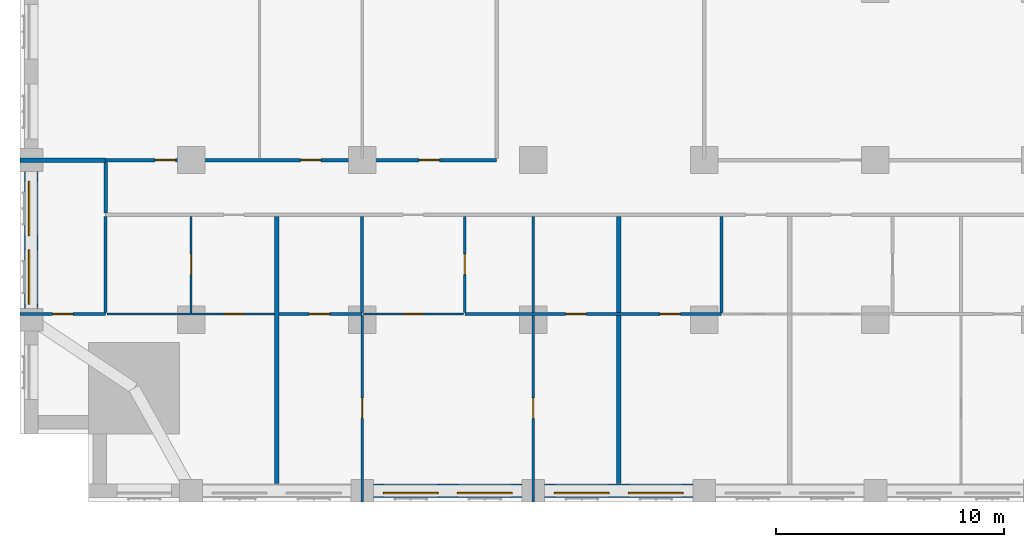
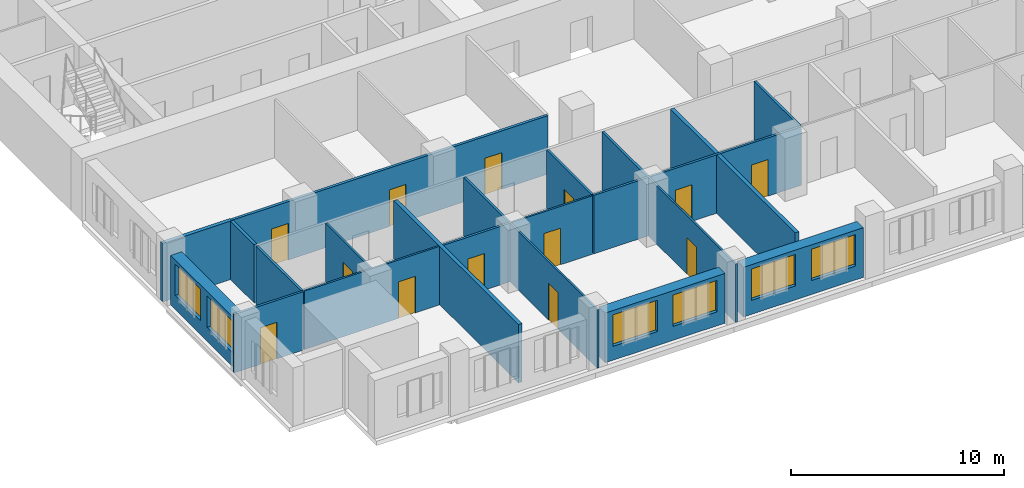
# One storey, part 4 of 14: 21 walls, 13 doors, 6 windows, 19 openings.
"""IFC4 building model written with IfcOpenShell, lengths in metres."""

from ifc_helpers import new_model, si_unit, direction, frame, frame_2d, origin, place, context, subcontext, project, spatial, rectangle, extrude, material, layer, layer_set, type_object, element, fill, save


model = new_model("IFC4")

# Units and contexts
model_context = context("Model", 3, precision=1e-05, world=origin(), true_north=direction((0.0, 1.0)))
body_context = subcontext(model_context, "Body", "Model", "MODEL_VIEW")
ifc_project = project(units=[si_unit("LENGTHUNIT", "METRE"), si_unit("AREAUNIT", "SQUARE_METRE"), si_unit("VOLUMEUNIT", "CUBIC_METRE"), si_unit("PLANEANGLEUNIT", "RADIAN"), si_unit("MASSUNIT", "GRAM", prefix="KILO")], contexts=[model_context])

# Site, building, storey
site_placement = place(None, origin())
site = spatial("IfcSite", under=ifc_project, at=site_placement, CompositionType="ELEMENT")
building_placement = place(site_placement, origin())
building = spatial("IfcBuilding", under=site, at=building_placement, Name="Tamorin Gate", CompositionType="ELEMENT")
storey_placement = place(building_placement, frame((0.0, 0.0, 55.60009765625)))
storey = spatial("IfcBuildingStorey", under=building, at=storey_placement, Name="L12", CompositionType="ELEMENT", Elevation=55.60009765625)

# Wall, openings, windows
ifc_material_1 = material(Name="Precast concrete C40/50", Category="concrete")
ifc_layer_1 = layer(ifc_material_1, 0.60009765625)
ifc_layer_set_1 = layer_set([ifc_layer_1], Name="Precast concrete C40/50")
wall_type_1 = type_object("IfcWallType", Name="Board-marked concrete facade panel 600", PredefinedType="SOLIDWALL", material=ifc_layer_set_1)
wall_1_placement = place(storey_placement, frame((45.5, 38.0, 0.0), z_axis=(0.0, 0.0, 1.0), x_axis=(1.0, 0.0, 0.0)))
wall_1 = element("IfcWall", 1, at=wall_1_placement, inside=storey, type_object=wall_type_1, Name="Facade panel", PredefinedType="SOLIDWALL", context=body_context, shape_type="SweptSolid", body=[
    extrude(rectangle(XDim=6.5, YDim=0.60009765625, at=frame_2d((3.25, 0.0))), origin(), (0.0, 0.0, 1.0), 2.849853515625),
])
opening_1_placement = place(wall_1_placement, frame((0.425048828125, 0.0, 0.800048828125)))
opening_1 = element("IfcOpeningElement", 2, at=opening_1_placement, cuts=wall_1, Name="Opening WN1", PredefinedType="OPENING", context=body_context, shape_type="SweptSolid", body=[
    extrude(rectangle(XDim=2.39990234375, YDim=1.800048828125, at=frame_2d((1.199951171875, 0.89990234375))), frame((0.0, 0.31005859375, 0.0), z_axis=(0.0, -1.0, 0.0), x_axis=(1.0, 0.0, 0.0)), (0.0, 0.0, 1.0), 0.6201171875),
])
opening_2_placement = place(wall_1_placement, frame((3.675048828125, 0.0, 0.800048828125)))
opening_2 = element("IfcOpeningElement", 3, at=opening_2_placement, cuts=wall_1, Name="Opening WN1", PredefinedType="OPENING", context=body_context, shape_type="SweptSolid", body=[
    extrude(rectangle(XDim=2.39990234375, YDim=1.800048828125, at=frame_2d((1.199951171875, 0.89990234375))), frame((0.0, 0.31005859375, 0.0), z_axis=(0.0, -1.0, 0.0), x_axis=(1.0, 0.0, 0.0)), (0.0, 0.0, 1.0), 0.6201171875),
])
ifc_material_2 = material(Name="Clear glass in aluminium frame", Category="aluminium")
window_type = type_object("IfcWindowType", Name="Deep-set window 2400x1800", PartitioningType="SINGLE_PANEL", PredefinedType="WINDOW", material=ifc_material_2)
window_1_placement = place(opening_1_placement, origin())
window_1 = element("IfcWindow", 4, at=window_1_placement, inside=storey, type_object=window_type, Name="Deep-set window", OverallHeight=1.800048828125, OverallWidth=2.39990234375, PartitioningType="SINGLE_PANEL", PredefinedType="WINDOW", context=body_context, shape_type="SweptSolid", body=[
    extrude(rectangle(XDim=2.39990234375, YDim=1.800048828125, at=frame_2d((1.199951171875, 0.89990234375))), frame((0.0, -0.070068359375, 0.0), z_axis=(0.0, -1.0, 0.0), x_axis=(1.0, 0.0, 0.0)), (0.0, 0.0, 1.0), 0.06005859375),
])
fill(opening_1, window_1)
window_2_placement = place(opening_2_placement, origin())
window_2 = element("IfcWindow", 5, at=window_2_placement, inside=storey, type_object=window_type, Name="Deep-set window", OverallHeight=1.800048828125, OverallWidth=2.39990234375, PartitioningType="SINGLE_PANEL", PredefinedType="WINDOW", context=body_context, shape_type="SweptSolid", body=[
    extrude(rectangle(XDim=2.39990234375, YDim=1.800048828125, at=frame_2d((1.199951171875, 0.89990234375))), frame((0.0, -0.070068359375, 0.0), z_axis=(0.0, -1.0, 0.0), x_axis=(1.0, 0.0, 0.0)), (0.0, 0.0, 1.0), 0.06005859375),
])
fill(opening_2, window_2)

wall_2_placement = place(storey_placement, frame((53.0, 38.0, 0.0), z_axis=(0.0, 0.0, 1.0), x_axis=(1.0, 0.0, 0.0)))
wall_2 = element("IfcWall", 6, at=wall_2_placement, inside=storey, type_object=wall_type_1, Name="Facade panel", PredefinedType="SOLIDWALL", context=body_context, shape_type="SweptSolid", body=[
    extrude(rectangle(XDim=6.5, YDim=0.60009765625, at=frame_2d((3.25, 0.0))), origin(), (0.0, 0.0, 1.0), 2.849853515625),
])
opening_3_placement = place(wall_2_placement, frame((0.425048828125, 0.0, 0.800048828125)))
opening_3 = element("IfcOpeningElement", 7, at=opening_3_placement, cuts=wall_2, Name="Opening WN1", PredefinedType="OPENING", context=body_context, shape_type="SweptSolid", body=[
    extrude(rectangle(XDim=2.39990234375, YDim=1.800048828125, at=frame_2d((1.199951171875, 0.89990234375))), frame((0.0, 0.31005859375, 0.0), z_axis=(0.0, -1.0, 0.0), x_axis=(1.0, 0.0, 0.0)), (0.0, 0.0, 1.0), 0.6201171875),
])
opening_4_placement = place(wall_2_placement, frame((3.675048828125, 0.0, 0.800048828125)))
opening_4 = element("IfcOpeningElement", 8, at=opening_4_placement, cuts=wall_2, Name="Opening WN1", PredefinedType="OPENING", context=body_context, shape_type="SweptSolid", body=[
    extrude(rectangle(XDim=2.39990234375, YDim=1.800048828125, at=frame_2d((1.199951171875, 0.89990234375))), frame((0.0, 0.31005859375, 0.0), z_axis=(0.0, -1.0, 0.0), x_axis=(1.0, 0.0, 0.0)), (0.0, 0.0, 1.0), 0.6201171875),
])
window_3_placement = place(opening_3_placement, origin())
window_3 = element("IfcWindow", 9, at=window_3_placement, inside=storey, type_object=window_type, Name="Deep-set window", OverallHeight=1.800048828125, OverallWidth=2.39990234375, PartitioningType="SINGLE_PANEL", PredefinedType="WINDOW", context=body_context, shape_type="SweptSolid", body=[
    extrude(rectangle(XDim=2.39990234375, YDim=1.800048828125, at=frame_2d((1.199951171875, 0.89990234375))), frame((0.0, -0.070068359375, 0.0), z_axis=(0.0, -1.0, 0.0), x_axis=(1.0, 0.0, 0.0)), (0.0, 0.0, 1.0), 0.06005859375),
])
fill(opening_3, window_3)
window_4_placement = place(opening_4_placement, origin())
window_4 = element("IfcWindow", 10, at=window_4_placement, inside=storey, type_object=window_type, Name="Deep-set window", OverallHeight=1.800048828125, OverallWidth=2.39990234375, PartitioningType="SINGLE_PANEL", PredefinedType="WINDOW", context=body_context, shape_type="SweptSolid", body=[
    extrude(rectangle(XDim=2.39990234375, YDim=1.800048828125, at=frame_2d((1.199951171875, 0.89990234375))), frame((0.0, -0.070068359375, 0.0), z_axis=(0.0, -1.0, 0.0), x_axis=(1.0, 0.0, 0.0)), (0.0, 0.0, 1.0), 0.06005859375),
])
fill(opening_4, window_4)

wall_3_placement = place(storey_placement, frame((30.5, 52.0, 0.0), z_axis=(0.0, 0.0, 1.0), x_axis=(0.0, -1.0, 0.0)))
wall_3 = element("IfcWall", 11, at=wall_3_placement, inside=storey, type_object=wall_type_1, Name="Facade panel", PredefinedType="SOLIDWALL", context=body_context, shape_type="SweptSolid", body=[
    extrude(rectangle(XDim=6.0, YDim=0.60009765625, at=frame_2d((3.0, 0.0))), origin(), (0.0, 0.0, 1.0), 2.849853515625),
])
opening_5_placement = place(wall_3_placement, frame((3.425048828125, 0.0, 0.800048828125)))
opening_5 = element("IfcOpeningElement", 12, at=opening_5_placement, cuts=wall_3, Name="Opening WN1", PredefinedType="OPENING", context=body_context, shape_type="SweptSolid", body=[
    extrude(rectangle(XDim=2.39990234375, YDim=1.800048828125, at=frame_2d((1.199951171875, 0.89990234375))), frame((0.0, 0.31005859375, 0.0), z_axis=(0.0, -1.0, 0.0), x_axis=(1.0, 0.0, 0.0)), (0.0, 0.0, 1.0), 0.6201171875),
])
opening_6_placement = place(wall_3_placement, frame((0.425048828125, 0.0, 0.800048828125)))
opening_6 = element("IfcOpeningElement", 13, at=opening_6_placement, cuts=wall_3, Name="Opening WN1", PredefinedType="OPENING", context=body_context, shape_type="SweptSolid", body=[
    extrude(rectangle(XDim=2.39990234375, YDim=1.800048828125, at=frame_2d((1.199951171875, 0.89990234375))), frame((0.0, 0.31005859375, 0.0), z_axis=(0.0, -1.0, 0.0), x_axis=(1.0, 0.0, 0.0)), (0.0, 0.0, 1.0), 0.6201171875),
])
window_5_placement = place(opening_5_placement, origin())
window_5 = element("IfcWindow", 14, at=window_5_placement, inside=storey, type_object=window_type, Name="Deep-set window", OverallHeight=1.800048828125, OverallWidth=2.39990234375, PartitioningType="SINGLE_PANEL", PredefinedType="WINDOW", context=body_context, shape_type="SweptSolid", body=[
    extrude(rectangle(XDim=2.39990234375, YDim=1.800048828125, at=frame_2d((1.199951171875, 0.89990234375))), frame((0.0, -0.070068359375, 0.0), z_axis=(0.0, -1.0, 0.0), x_axis=(1.0, 0.0, 0.0)), (0.0, 0.0, 1.0), 0.06005859375),
])
fill(opening_5, window_5)
window_6_placement = place(opening_6_placement, origin())
window_6 = element("IfcWindow", 15, at=window_6_placement, inside=storey, type_object=window_type, Name="Deep-set window", OverallHeight=1.800048828125, OverallWidth=2.39990234375, PartitioningType="SINGLE_PANEL", PredefinedType="WINDOW", context=body_context, shape_type="SweptSolid", body=[
    extrude(rectangle(XDim=2.39990234375, YDim=1.800048828125, at=frame_2d((1.199951171875, 0.89990234375))), frame((0.0, -0.070068359375, 0.0), z_axis=(0.0, -1.0, 0.0), x_axis=(1.0, 0.0, 0.0)), (0.0, 0.0, 1.0), 0.06005859375),
])
fill(opening_6, window_6)

# Wall, openings, doors
ifc_material_3 = material(Name="Gypsum board partition")
ifc_layer_2 = layer(ifc_material_3, 0.14990234375)
ifc_layer_set_2 = layer_set([ifc_layer_2], Name="Corridor wall 150")
wall_type_2 = type_object("IfcWallType", Name="Corridor wall 150", PredefinedType="PARTITIONING", material=ifc_layer_set_2)
wall_4_placement = place(storey_placement, frame((33.75, 52.5, 0.0), z_axis=(0.0, 0.0, 1.0), x_axis=(1.0, 0.0, 0.0)))
wall_4 = element("IfcWall", 16, at=wall_4_placement, inside=storey, type_object=wall_type_2, Name="Corridor wall 150", PredefinedType="PARTITIONING", context=body_context, shape_type="SweptSolid", body=[
    extrude(rectangle(XDim=17.14990234375, YDim=0.14990234375, at=frame_2d((8.574951171875, 0.0))), origin(), (0.0, 0.0, 1.0), 3.349853515625),
])
opening_7_placement = place(wall_4_placement, frame((2.175048828125, 0.0, 0.0)))
opening_7 = element("IfcOpeningElement", 17, at=opening_7_placement, cuts=wall_4, Name="Opening DH3073", PredefinedType="OPENING", context=body_context, shape_type="SweptSolid", body=[
    extrude(rectangle(XDim=0.89990234375, YDim=2.10009765625, at=frame_2d((0.449951171875, 1.050048828125))), frame((0.0, 0.0849609375, 0.0), z_axis=(0.0, -1.0, 0.0), x_axis=(1.0, 0.0, 0.0)), (0.0, 0.0, 1.0), 0.169921875),
])
opening_8_placement = place(wall_4_placement, frame((8.550048828125, 0.0, 0.0)))
opening_8 = element("IfcOpeningElement", 18, at=opening_8_placement, cuts=wall_4, Name="Opening DH3074", PredefinedType="OPENING", context=body_context, shape_type="SweptSolid", body=[
    extrude(rectangle(XDim=0.89990234375, YDim=2.10009765625, at=frame_2d((0.449951171875, 1.050048828125))), frame((0.0, 0.0849609375, 0.0), z_axis=(0.0, -1.0, 0.0), x_axis=(1.0, 0.0, 0.0)), (0.0, 0.0, 1.0), 0.169921875),
])
opening_9_placement = place(wall_4_placement, frame((13.75, 0.0, 0.0)))
opening_9 = element("IfcOpeningElement", 19, at=opening_9_placement, cuts=wall_4, Name="Opening DH3075", PredefinedType="OPENING", context=body_context, shape_type="SweptSolid", body=[
    extrude(rectangle(XDim=0.89990234375, YDim=2.10009765625, at=frame_2d((0.449951171875, 1.050048828125))), frame((0.0, 0.0849609375, 0.0), z_axis=(0.0, -1.0, 0.0), x_axis=(1.0, 0.0, 0.0)), (0.0, 0.0, 1.0), 0.169921875),
])
ifc_material_4 = material(Name="Timber door leaf", Category="wood")
door_type_1 = type_object("IfcDoorType", Name="Door 900 x 2100 FD30S", OperationType="NOTDEFINED", PredefinedType="DOOR", material=ifc_material_4)
door_1_placement = place(opening_7_placement, origin())
door_1 = element("IfcDoor", 20, at=door_1_placement, inside=storey, type_object=door_type_1, Name="Door DH3073", OperationType="SINGLE_SWING_LEFT", OverallHeight=2.10009765625, OverallWidth=0.89990234375, PredefinedType="DOOR", context=body_context, shape_type="SweptSolid", body=[
    extrude(rectangle(XDim=0.89990234375, YDim=2.10009765625, at=frame_2d((0.449951171875, 1.050048828125))), frame((0.0, 0.02490234375, 0.0), z_axis=(0.0, -1.0, 0.0), x_axis=(1.0, 0.0, 0.0)), (0.0, 0.0, 1.0), 0.050048828125),
])
fill(opening_7, door_1)
door_2_placement = place(opening_8_placement, origin())
door_2 = element("IfcDoor", 21, at=door_2_placement, inside=storey, type_object=door_type_1, Name="Door DH3074", OperationType="SINGLE_SWING_LEFT", OverallHeight=2.10009765625, OverallWidth=0.89990234375, PredefinedType="DOOR", context=body_context, shape_type="SweptSolid", body=[
    extrude(rectangle(XDim=0.89990234375, YDim=2.10009765625, at=frame_2d((0.449951171875, 1.050048828125))), frame((0.0, 0.02490234375, 0.0), z_axis=(0.0, -1.0, 0.0), x_axis=(1.0, 0.0, 0.0)), (0.0, 0.0, 1.0), 0.050048828125),
])
fill(opening_8, door_2)
door_3_placement = place(opening_9_placement, origin())
door_3 = element("IfcDoor", 22, at=door_3_placement, inside=storey, type_object=door_type_1, Name="Door DH3075", OperationType="SINGLE_SWING_LEFT", OverallHeight=2.10009765625, OverallWidth=0.89990234375, PredefinedType="DOOR", context=body_context, shape_type="SweptSolid", body=[
    extrude(rectangle(XDim=0.89990234375, YDim=2.10009765625, at=frame_2d((0.449951171875, 1.050048828125))), frame((0.0, 0.02490234375, 0.0), z_axis=(0.0, -1.0, 0.0), x_axis=(1.0, 0.0, 0.0)), (0.0, 0.0, 1.0), 0.050048828125),
])
fill(opening_9, door_3)

# Walls
wall_5_placement = place(storey_placement, frame((33.75, 50.175048828125, 0.0), z_axis=(0.0, 0.0, 1.0), x_axis=(0.0, 1.0, 0.0)))
element("IfcWall", 23, at=wall_5_placement, inside=storey, type_object=wall_type_2, Name="Corridor wall 150", PredefinedType="PARTITIONING", context=body_context, shape_type="SweptSolid", body=[
    extrude(rectangle(XDim=2.224853515625, YDim=0.14990234375, at=frame_2d((1.1123046875, 0.0))), origin(), (0.0, 0.0, 1.0), 3.349853515625),
])
ifc_layer_3 = layer(ifc_material_3, 0.199951171875)
ifc_layer_set_3 = layer_set([ifc_layer_3], Name="Demising wall 200")
wall_type_3 = type_object("IfcWallType", Name="Demising wall 200", PredefinedType="PARTITIONING", material=ifc_layer_set_3)
wall_6_placement = place(storey_placement, frame((30.0, 52.5, 0.0), z_axis=(0.0, 0.0, 1.0), x_axis=(1.0, 0.0, 0.0)))
element("IfcWall", 24, at=wall_6_placement, inside=storey, type_object=wall_type_3, Name="Demising wall 200", PredefinedType="PARTITIONING", context=body_context, shape_type="SweptSolid", body=[
    extrude(rectangle(XDim=3.75, YDim=0.199951171875, at=frame_2d((1.875, 0.0))), origin(), (0.0, 0.0, 1.0), 3.349853515625),
])
for number, where, z_axis, x_axis, name in (
    (25, (41.25, 38.31005859375, 0.0), (0.0, 0.0, 1.0), (0.0, 1.0, 0.0), "Demising wall 200"),
    (26, (56.25, 38.31005859375, 0.0), (0.0, 0.0, 1.0), (0.0, 1.0, 0.0), "Demising wall 200"),
):
    element("IfcWall", number, at=place(storey_placement, frame(where, z_axis=z_axis, x_axis=x_axis)), inside=storey, type_object=wall_type_3, Name=name, PredefinedType="PARTITIONING", context=body_context, shape_type="SweptSolid", body=[
        extrude(rectangle(XDim=11.71484375, YDim=0.199951171875, at=frame_2d((5.857421875, 0.0))), origin(), (0.0, 0.0, 1.0), 3.349853515625),
    ])

# Wall, opening, door
ifc_layer_4 = layer(ifc_material_3, 0.10009765625)
ifc_layer_set_4 = layer_set([ifc_layer_4], Name="Room partition 100")
wall_type_4 = type_object("IfcWallType", Name="Room partition 100", PredefinedType="PARTITIONING", material=ifc_layer_set_4)
wall_7_placement = place(storey_placement, frame((33.8125, 45.75, 0.0), z_axis=(0.0, 0.0, 1.0), x_axis=(1.0, 0.0, 0.0)))
wall_7 = element("IfcWall", 27, at=wall_7_placement, inside=storey, type_object=wall_type_4, Name="Room partition 100", PredefinedType="PARTITIONING", context=body_context, shape_type="SweptSolid", body=[
    extrude(rectangle(XDim=7.33740234375, YDim=0.10009765625, at=frame_2d((3.668701171875, 0.0))), origin(), (0.0, 0.0, 1.0), 3.349853515625),
])
opening_10_placement = place(wall_7_placement, frame((5.112548828125, 0.0, 0.0)))
opening_10 = element("IfcOpeningElement", 28, at=opening_10_placement, cuts=wall_7, Name="Opening DH3004", PredefinedType="OPENING", context=body_context, shape_type="SweptSolid", body=[
    extrude(rectangle(XDim=0.89990234375, YDim=2.10009765625, at=frame_2d((0.449951171875, 1.050048828125))), frame((0.0, 0.06005859375, 0.0), z_axis=(0.0, -1.0, 0.0), x_axis=(1.0, 0.0, 0.0)), (0.0, 0.0, 1.0), 0.1201171875),
])
door_type_2 = type_object("IfcDoorType", Name="Door 900 x 2100", OperationType="NOTDEFINED", PredefinedType="DOOR", material=ifc_material_4)
door_4_placement = place(opening_10_placement, origin())
door_4 = element("IfcDoor", 29, at=door_4_placement, inside=storey, type_object=door_type_2, Name="Door DH3004", OperationType="SINGLE_SWING_LEFT", OverallHeight=2.10009765625, OverallWidth=0.89990234375, PredefinedType="DOOR", context=body_context, shape_type="SweptSolid", body=[
    extrude(rectangle(XDim=0.89990234375, YDim=2.10009765625, at=frame_2d((0.449951171875, 1.050048828125))), frame((0.0, 0.02490234375, 0.0), z_axis=(0.0, -1.0, 0.0), x_axis=(1.0, 0.0, 0.0)), (0.0, 0.0, 1.0), 0.050048828125),
])
fill(opening_10, door_4)

wall_8_placement = place(storey_placement, frame((45.0625, 45.75, 0.0), z_axis=(0.0, 0.0, 1.0), x_axis=(1.0, 0.0, 0.0)))
wall_8 = element("IfcWall", 30, at=wall_8_placement, inside=storey, type_object=wall_type_4, Name="Room partition 100", PredefinedType="PARTITIONING", context=body_context, shape_type="SweptSolid", body=[
    extrude(rectangle(XDim=4.375, YDim=0.10009765625, at=frame_2d((2.1875, 0.0))), origin(), (0.0, 0.0, 1.0), 3.349853515625),
])
opening_11_placement = place(wall_8_placement, frame((1.737548828125, 0.0, 0.0)))
opening_11 = element("IfcOpeningElement", 31, at=opening_11_placement, cuts=wall_8, Name="Opening DH3007", PredefinedType="OPENING", context=body_context, shape_type="SweptSolid", body=[
    extrude(rectangle(XDim=0.89990234375, YDim=2.10009765625, at=frame_2d((0.449951171875, 1.050048828125))), frame((0.0, 0.06005859375, 0.0), z_axis=(0.0, -1.0, 0.0), x_axis=(1.0, 0.0, 0.0)), (0.0, 0.0, 1.0), 0.1201171875),
])
door_5_placement = place(opening_11_placement, origin())
door_5 = element("IfcDoor", 32, at=door_5_placement, inside=storey, type_object=door_type_2, Name="Door DH3007", OperationType="SINGLE_SWING_LEFT", OverallHeight=2.10009765625, OverallWidth=0.89990234375, PredefinedType="DOOR", context=body_context, shape_type="SweptSolid", body=[
    extrude(rectangle(XDim=0.89990234375, YDim=2.10009765625, at=frame_2d((0.449951171875, 1.050048828125))), frame((0.0, 0.02490234375, 0.0), z_axis=(0.0, -1.0, 0.0), x_axis=(1.0, 0.0, 0.0)), (0.0, 0.0, 1.0), 0.050048828125),
])
fill(opening_11, door_5)

wall_9_placement = place(storey_placement, frame((37.5, 45.800048828125, 0.0), z_axis=(0.0, 0.0, 1.0), x_axis=(0.0, 1.0, 0.0)))
wall_9 = element("IfcWall", 33, at=wall_9_placement, inside=storey, type_object=wall_type_4, Name="Room partition 100", PredefinedType="PARTITIONING", context=body_context, shape_type="SweptSolid", body=[
    extrude(rectangle(XDim=4.224853515625, YDim=0.10009765625, at=frame_2d((2.1123046875, 0.0))), origin(), (0.0, 0.0, 1.0), 3.349853515625),
])
opening_12_placement = place(wall_9_placement, frame((1.675048828125, 0.0, 0.0)))
opening_12 = element("IfcOpeningElement", 34, at=opening_12_placement, cuts=wall_9, Name="Opening DH3002", PredefinedType="OPENING", context=body_context, shape_type="SweptSolid", body=[
    extrude(rectangle(XDim=0.89990234375, YDim=2.10009765625, at=frame_2d((0.449951171875, 1.050048828125))), frame((0.0, 0.06005859375, 0.0), z_axis=(0.0, -1.0, 0.0), x_axis=(1.0, 0.0, 0.0)), (0.0, 0.0, 1.0), 0.1201171875),
])
door_6_placement = place(opening_12_placement, origin())
door_6 = element("IfcDoor", 35, at=door_6_placement, inside=storey, type_object=door_type_2, Name="Door DH3002", OperationType="SINGLE_SWING_RIGHT", OverallHeight=2.10009765625, OverallWidth=0.89990234375, PredefinedType="DOOR", context=body_context, shape_type="SweptSolid", body=[
    extrude(rectangle(XDim=0.89990234375, YDim=2.10009765625, at=frame_2d((0.449951171875, 1.050048828125))), frame((0.0, 0.02490234375, 0.0), z_axis=(0.0, -1.0, 0.0), x_axis=(1.0, 0.0, 0.0)), (0.0, 0.0, 1.0), 0.050048828125),
])
fill(opening_12, door_6)

wall_10_placement = place(storey_placement, frame((45.0, 37.5, 0.0), z_axis=(0.0, 0.0, 1.0), x_axis=(0.0, 1.0, 0.0)))
wall_10 = element("IfcWall", 36, at=wall_10_placement, inside=storey, type_object=wall_type_4, Name="Room partition 100", PredefinedType="PARTITIONING", context=body_context, shape_type="SweptSolid", body=[
    extrude(rectangle(XDim=8.1875, YDim=0.10009765625, at=frame_2d((4.09375, 0.0))), origin(), (0.0, 0.0, 1.0), 3.349853515625),
])
opening_13_placement = place(wall_10_placement, frame((3.675048828125, 0.0, 0.0)))
opening_13 = element("IfcOpeningElement", 37, at=opening_13_placement, cuts=wall_10, Name="Opening DH3010", PredefinedType="OPENING", context=body_context, shape_type="SweptSolid", body=[
    extrude(rectangle(XDim=0.89990234375, YDim=2.10009765625, at=frame_2d((0.449951171875, 1.050048828125))), frame((0.0, 0.06005859375, 0.0), z_axis=(0.0, -1.0, 0.0), x_axis=(1.0, 0.0, 0.0)), (0.0, 0.0, 1.0), 0.1201171875),
])
door_7_placement = place(opening_13_placement, origin())
door_7 = element("IfcDoor", 38, at=door_7_placement, inside=storey, type_object=door_type_2, Name="Door DH3010", OperationType="SINGLE_SWING_LEFT", OverallHeight=2.10009765625, OverallWidth=0.89990234375, PredefinedType="DOOR", context=body_context, shape_type="SweptSolid", body=[
    extrude(rectangle(XDim=0.89990234375, YDim=2.10009765625, at=frame_2d((0.449951171875, 1.050048828125))), frame((0.0, 0.02490234375, 0.0), z_axis=(0.0, -1.0, 0.0), x_axis=(1.0, 0.0, 0.0)), (0.0, 0.0, 1.0), 0.050048828125),
])
fill(opening_13, door_7)

wall_11_placement = place(storey_placement, frame((52.5, 37.5, 0.0), z_axis=(0.0, 0.0, 1.0), x_axis=(0.0, 1.0, 0.0)))
wall_11 = element("IfcWall", 39, at=wall_11_placement, inside=storey, type_object=wall_type_4, Name="Room partition 100", PredefinedType="PARTITIONING", context=body_context, shape_type="SweptSolid", body=[
    extrude(rectangle(XDim=8.1875, YDim=0.10009765625, at=frame_2d((4.09375, 0.0))), origin(), (0.0, 0.0, 1.0), 3.349853515625),
])
opening_14_placement = place(wall_11_placement, frame((3.675048828125, 0.0, 0.0)))
opening_14 = element("IfcOpeningElement", 40, at=opening_14_placement, cuts=wall_11, Name="Opening DH3011", PredefinedType="OPENING", context=body_context, shape_type="SweptSolid", body=[
    extrude(rectangle(XDim=0.89990234375, YDim=2.10009765625, at=frame_2d((0.449951171875, 1.050048828125))), frame((0.0, 0.06005859375, 0.0), z_axis=(0.0, -1.0, 0.0), x_axis=(1.0, 0.0, 0.0)), (0.0, 0.0, 1.0), 0.1201171875),
])
door_8_placement = place(opening_14_placement, origin())
door_8 = element("IfcDoor", 41, at=door_8_placement, inside=storey, type_object=door_type_2, Name="Door DH3011", OperationType="SINGLE_SWING_LEFT", OverallHeight=2.10009765625, OverallWidth=0.89990234375, PredefinedType="DOOR", context=body_context, shape_type="SweptSolid", body=[
    extrude(rectangle(XDim=0.89990234375, YDim=2.10009765625, at=frame_2d((0.449951171875, 1.050048828125))), frame((0.0, 0.02490234375, 0.0), z_axis=(0.0, -1.0, 0.0), x_axis=(1.0, 0.0, 0.0)), (0.0, 0.0, 1.0), 0.050048828125),
])
fill(opening_14, door_8)

ifc_layer_5 = layer(ifc_material_3, 0.125)
ifc_layer_set_5 = layer_set([ifc_layer_5], Name="Wet wall 125")
wall_type_5 = type_object("IfcWallType", Name="Wet wall 125", PredefinedType="PARTITIONING", material=ifc_layer_set_5)
wall_12_placement = place(storey_placement, frame((30.0, 45.75, 0.0), z_axis=(0.0, 0.0, 1.0), x_axis=(1.0, 0.0, 0.0)))
wall_12 = element("IfcWall", 42, at=wall_12_placement, inside=storey, type_object=wall_type_5, Name="Wet wall 125", PredefinedType="PARTITIONING", context=body_context, shape_type="SweptSolid", body=[
    extrude(rectangle(XDim=3.75, YDim=0.125, at=frame_2d((1.875, 0.0))), origin(), (0.0, 0.0, 1.0), 3.349853515625),
])
opening_15_placement = place(wall_12_placement, frame((1.425048828125, 0.0, 0.0)))
opening_15 = element("IfcOpeningElement", 43, at=opening_15_placement, cuts=wall_12, Name="Opening DH3001", PredefinedType="OPENING", context=body_context, shape_type="SweptSolid", body=[
    extrude(rectangle(XDim=0.89990234375, YDim=2.10009765625, at=frame_2d((0.449951171875, 1.050048828125))), frame((0.0, 0.072509765625, 0.0), z_axis=(0.0, -1.0, 0.0), x_axis=(1.0, 0.0, 0.0)), (0.0, 0.0, 1.0), 0.14501953125),
])
door_9_placement = place(opening_15_placement, origin())
door_9 = element("IfcDoor", 44, at=door_9_placement, inside=storey, type_object=door_type_2, Name="Door DH3001", OperationType="SINGLE_SWING_LEFT", OverallHeight=2.10009765625, OverallWidth=0.89990234375, PredefinedType="DOOR", context=body_context, shape_type="SweptSolid", body=[
    extrude(rectangle(XDim=0.89990234375, YDim=2.10009765625, at=frame_2d((0.449951171875, 1.050048828125))), frame((0.0, 0.02490234375, 0.0), z_axis=(0.0, -1.0, 0.0), x_axis=(1.0, 0.0, 0.0)), (0.0, 0.0, 1.0), 0.050048828125),
])
fill(opening_15, door_9)

wall_13_placement = place(storey_placement, frame((41.35009765625, 45.75, 0.0), z_axis=(0.0, 0.0, 1.0), x_axis=(1.0, 0.0, 0.0)))
wall_13 = element("IfcWall", 45, at=wall_13_placement, inside=storey, type_object=wall_type_5, Name="Wet wall 125", PredefinedType="PARTITIONING", context=body_context, shape_type="SweptSolid", body=[
    extrude(rectangle(XDim=3.64990234375, YDim=0.125, at=frame_2d((1.824951171875, 0.0))), origin(), (0.0, 0.0, 1.0), 3.349853515625),
])
opening_16_placement = place(wall_13_placement, frame((1.324951171875, 0.0, 0.0)))
opening_16 = element("IfcOpeningElement", 46, at=opening_16_placement, cuts=wall_13, Name="Opening DH3005", PredefinedType="OPENING", context=body_context, shape_type="SweptSolid", body=[
    extrude(rectangle(XDim=0.89990234375, YDim=2.10009765625, at=frame_2d((0.449951171875, 1.050048828125))), frame((0.0, 0.072509765625, 0.0), z_axis=(0.0, -1.0, 0.0), x_axis=(1.0, 0.0, 0.0)), (0.0, 0.0, 1.0), 0.14501953125),
])
door_10_placement = place(opening_16_placement, origin())
door_10 = element("IfcDoor", 47, at=door_10_placement, inside=storey, type_object=door_type_2, Name="Door DH3005", OperationType="SINGLE_SWING_LEFT", OverallHeight=2.10009765625, OverallWidth=0.89990234375, PredefinedType="DOOR", context=body_context, shape_type="SweptSolid", body=[
    extrude(rectangle(XDim=0.89990234375, YDim=2.10009765625, at=frame_2d((0.449951171875, 1.050048828125))), frame((0.0, 0.02490234375, 0.0), z_axis=(0.0, -1.0, 0.0), x_axis=(1.0, 0.0, 0.0)), (0.0, 0.0, 1.0), 0.050048828125),
])
fill(opening_16, door_10)

# Wall, openings, doors
wall_14_placement = place(storey_placement, frame((49.5, 45.75, 0.0), z_axis=(0.0, 0.0, 1.0), x_axis=(1.0, 0.0, 0.0)))
wall_14 = element("IfcWall", 48, at=wall_14_placement, inside=storey, type_object=wall_type_5, Name="Wet wall 125", PredefinedType="PARTITIONING", context=body_context, shape_type="SweptSolid", body=[
    extrude(rectangle(XDim=11.25, YDim=0.125, at=frame_2d((5.625, 0.0))), origin(), (0.0, 0.0, 1.0), 3.349853515625),
])
opening_17_placement = place(wall_14_placement, frame((4.425048828125, 0.0, 0.0)))
opening_17 = element("IfcOpeningElement", 49, at=opening_17_placement, cuts=wall_14, Name="Opening DH3009", PredefinedType="OPENING", context=body_context, shape_type="SweptSolid", body=[
    extrude(rectangle(XDim=0.89990234375, YDim=2.10009765625, at=frame_2d((0.449951171875, 1.050048828125))), frame((0.0, 0.072509765625, 0.0), z_axis=(0.0, -1.0, 0.0), x_axis=(1.0, 0.0, 0.0)), (0.0, 0.0, 1.0), 0.14501953125),
])
opening_18_placement = place(wall_14_placement, frame((8.550048828125, 0.0, 0.0)))
opening_18 = element("IfcOpeningElement", 50, at=opening_18_placement, cuts=wall_14, Name="Opening DH3012", PredefinedType="OPENING", context=body_context, shape_type="SweptSolid", body=[
    extrude(rectangle(XDim=0.89990234375, YDim=2.10009765625, at=frame_2d((0.449951171875, 1.050048828125))), frame((0.0, 0.072509765625, 0.0), z_axis=(0.0, -1.0, 0.0), x_axis=(1.0, 0.0, 0.0)), (0.0, 0.0, 1.0), 0.14501953125),
])
door_11_placement = place(opening_17_placement, origin())
door_11 = element("IfcDoor", 51, at=door_11_placement, inside=storey, type_object=door_type_2, Name="Door DH3009", OperationType="SINGLE_SWING_LEFT", OverallHeight=2.10009765625, OverallWidth=0.89990234375, PredefinedType="DOOR", context=body_context, shape_type="SweptSolid", body=[
    extrude(rectangle(XDim=0.89990234375, YDim=2.10009765625, at=frame_2d((0.449951171875, 1.050048828125))), frame((0.0, 0.02490234375, 0.0), z_axis=(0.0, -1.0, 0.0), x_axis=(1.0, 0.0, 0.0)), (0.0, 0.0, 1.0), 0.050048828125),
])
fill(opening_17, door_11)
door_12_placement = place(opening_18_placement, origin())
door_12 = element("IfcDoor", 52, at=door_12_placement, inside=storey, type_object=door_type_2, Name="Door DH3012", OperationType="SINGLE_SWING_LEFT", OverallHeight=2.10009765625, OverallWidth=0.89990234375, PredefinedType="DOOR", context=body_context, shape_type="SweptSolid", body=[
    extrude(rectangle(XDim=0.89990234375, YDim=2.10009765625, at=frame_2d((0.449951171875, 1.050048828125))), frame((0.0, 0.02490234375, 0.0), z_axis=(0.0, -1.0, 0.0), x_axis=(1.0, 0.0, 0.0)), (0.0, 0.0, 1.0), 0.050048828125),
])
fill(opening_18, door_12)

# Walls
for number, where, z_axis, x_axis, name in (
    (53, (33.75, 45.8125, 0.0), (0.0, 0.0, 1.0), (0.0, 1.0, 0.0), "Wet wall 125"),
    (54, (45.0, 45.8125, 0.0), (0.0, 0.0, 1.0), (0.0, 1.0, 0.0), "Wet wall 125"),
):
    element("IfcWall", number, at=place(storey_placement, frame(where, z_axis=z_axis, x_axis=x_axis)), inside=storey, type_object=wall_type_5, Name=name, PredefinedType="PARTITIONING", context=body_context, shape_type="SweptSolid", body=[
        extrude(rectangle(XDim=4.21240234375, YDim=0.125, at=frame_2d((2.106201171875, 0.0))), origin(), (0.0, 0.0, 1.0), 3.349853515625),
    ])

# Wall, opening, door
wall_15_placement = place(storey_placement, frame((49.5, 45.8125, 0.0), z_axis=(0.0, 0.0, 1.0), x_axis=(0.0, 1.0, 0.0)))
wall_15 = element("IfcWall", 55, at=wall_15_placement, inside=storey, type_object=wall_type_5, Name="Wet wall 125", PredefinedType="PARTITIONING", context=body_context, shape_type="SweptSolid", body=[
    extrude(rectangle(XDim=4.21240234375, YDim=0.125, at=frame_2d((2.106201171875, 0.0))), origin(), (0.0, 0.0, 1.0), 3.349853515625),
])
opening_19_placement = place(wall_15_placement, frame((1.66259765625, 0.0, 0.0)))
opening_19 = element("IfcOpeningElement", 56, at=opening_19_placement, cuts=wall_15, Name="Opening DH3008", PredefinedType="OPENING", context=body_context, shape_type="SweptSolid", body=[
    extrude(rectangle(XDim=0.89990234375, YDim=2.10009765625, at=frame_2d((0.449951171875, 1.050048828125))), frame((0.0, 0.072509765625, 0.0), z_axis=(0.0, -1.0, 0.0), x_axis=(1.0, 0.0, 0.0)), (0.0, 0.0, 1.0), 0.14501953125),
])
door_13_placement = place(opening_19_placement, origin())
door_13 = element("IfcDoor", 57, at=door_13_placement, inside=storey, type_object=door_type_2, Name="Door DH3008", OperationType="SINGLE_SWING_LEFT", OverallHeight=2.10009765625, OverallWidth=0.89990234375, PredefinedType="DOOR", context=body_context, shape_type="SweptSolid", body=[
    extrude(rectangle(XDim=0.89990234375, YDim=2.10009765625, at=frame_2d((0.449951171875, 1.050048828125))), frame((0.0, 0.02490234375, 0.0), z_axis=(0.0, -1.0, 0.0), x_axis=(1.0, 0.0, 0.0)), (0.0, 0.0, 1.0), 0.050048828125),
])
fill(opening_19, door_13)

# Walls
for number, where, z_axis, x_axis, name in (
    (58, (52.5, 45.8125, 0.0), (0.0, 0.0, 1.0), (0.0, 1.0, 0.0), "Wet wall 125"),
    (59, (60.75, 45.8125, 0.0), (0.0, 0.0, 1.0), (0.0, 1.0, 0.0), "Wet wall 125"),
):
    element("IfcWall", number, at=place(storey_placement, frame(where, z_axis=z_axis, x_axis=x_axis)), inside=storey, type_object=wall_type_5, Name=name, PredefinedType="PARTITIONING", context=body_context, shape_type="SweptSolid", body=[
        extrude(rectangle(XDim=4.21240234375, YDim=0.125, at=frame_2d((2.106201171875, 0.0))), origin(), (0.0, 0.0, 1.0), 3.349853515625),
    ])

save(model, "model.ifc")
